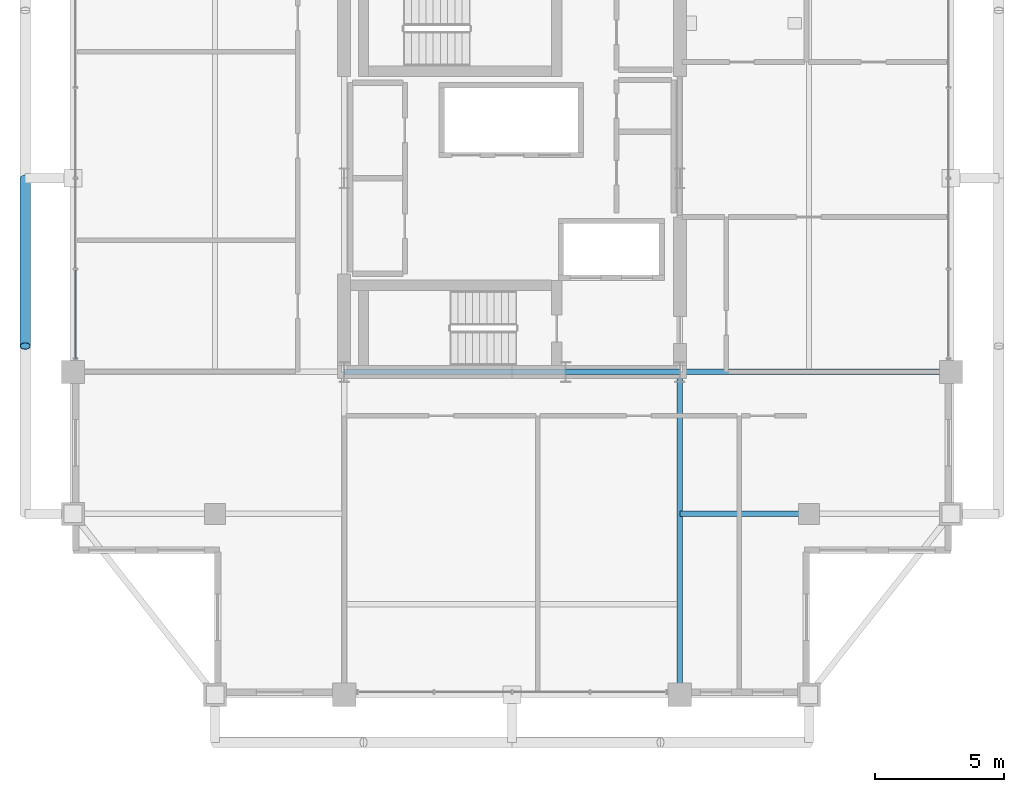
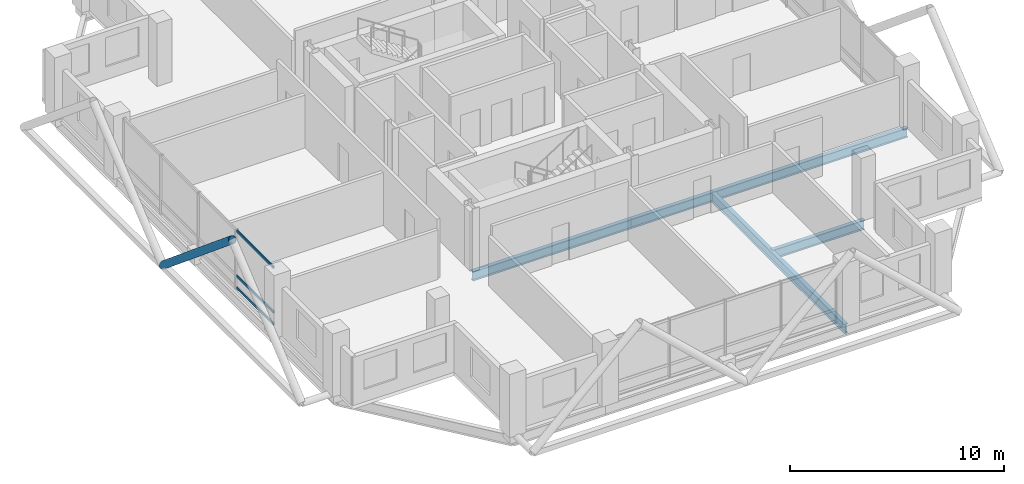
# One storey, part 7 of 24: 5 beams, 4 members, 1 element without a shape of its own.
"""IFC4 building model written with IfcOpenShell, lengths in metres."""

from ifc_helpers import new_model, si_unit, direction, frame, origin, origin_2d, place, context, subcontext, project, spatial, hollow_rectangle, hollow_circle, i_section, extrude, material, layer, layer_set, material_profile, profile_set, type_object, element, aggregate, save


model = new_model("IFC4")

# Units and contexts
model_context = context("Model", 3, precision=1e-05, world=origin(), true_north=direction((0.0, 1.0)))
body_context = subcontext(model_context, "Body", "Model", "MODEL_VIEW")
ifc_project = project(units=[si_unit("LENGTHUNIT", "METRE"), si_unit("AREAUNIT", "SQUARE_METRE"), si_unit("VOLUMEUNIT", "CUBIC_METRE"), si_unit("PLANEANGLEUNIT", "RADIAN"), si_unit("MASSUNIT", "GRAM", prefix="KILO")], contexts=[model_context])

# Site, building, storey
site_placement = place(None, origin())
site = spatial("IfcSite", under=ifc_project, at=site_placement, CompositionType="ELEMENT")
building_placement = place(site_placement, origin())
building = spatial("IfcBuilding", under=site, at=building_placement, Name="Barlavira Tower and Art Museum", CompositionType="ELEMENT")
storey_placement = place(building_placement, frame((0.0, 0.0, 272.699951171875)))
storey = spatial("IfcBuildingStorey", under=building, at=storey_placement, Name="L71", CompositionType="ELEMENT", Elevation=272.699951171875)

# Curtain wall, members
ifc_material_1 = material(Name="Low-iron coastal laminated glass", Category="glass")
ifc_layer = layer(ifc_material_1, 0.2099609375, Name="Low-iron coastal laminated glass")
ifc_layer_set = layer_set([ifc_layer], Name="Low-iron coastal laminated glass")
curtain_wall_type = type_object("IfcCurtainWallType", Name="Pale-Metal Unitised Curtain Wall Zone 4", PredefinedType="NOTDEFINED", material=ifc_layer_set)
curtain_wall_placement = place(storey_placement, origin())
curtain_wall = element("IfcCurtainWall", 1, at=curtain_wall_placement, inside=storey, type_object=curtain_wall_type, Name="L71 Curtain Wall CW4-L71-W-B3", PredefinedType="NOTDEFINED")
ifc_material_2 = material(Name="Pale anodised aluminium", Category="aluminium")
ifc_material_profile_1 = material_profile(ifc_material_2, hollow_rectangle(XDim=0.06494140625, YDim=0.139892578125, WallThickness=0.00390625, at=origin_2d()), Name="ALU-TRAN 65x140x4")
ifc_profile_set_1 = profile_set([ifc_material_profile_1], Name="Pale anodised aluminium")
member_type_1 = type_object("IfcMemberType", Name="Curtain Wall Pale-Metal Transom 65x140", PredefinedType="USERDEFINED", material=ifc_profile_set_1)
member_1_placement = place(storey_placement, frame((-16.89990234375, -3.56005859375, 0.070068359375), z_axis=(0.0, -1.0, 0.0), x_axis=(1.0, 0.0, 0.0)))
member_1 = element("IfcMember", 2, at=member_1_placement, type_object=member_type_1, Name="CW4-L71-W-B3 Transom 3.1", ObjectType="TRANSOM", PredefinedType="USERDEFINED", context=body_context, shape_type="SweptSolid", body=[
    extrude(hollow_rectangle(XDim=0.06494140625, YDim=0.139892578125, WallThickness=0.00390625, at=origin_2d()), origin(), (0.0, 0.0, 1.0), 3.425048828125),
])
member_2_placement = place(storey_placement, frame((-16.89990234375, -3.56005859375, 0.744140625), z_axis=(0.0, -1.0, 0.0), x_axis=(1.0, 0.0, 0.0)))
member_2 = element("IfcMember", 3, at=member_2_placement, type_object=member_type_1, Name="CW4-L71-W-B3 Transom 3.2", ObjectType="TRANSOM", PredefinedType="USERDEFINED", context=body_context, shape_type="SweptSolid", body=[
    extrude(hollow_rectangle(XDim=0.06494140625, YDim=0.139892578125, WallThickness=0.00390625, at=origin_2d()), origin(), (0.0, 0.0, 1.0), 3.425048828125),
])
member_3_placement = place(storey_placement, frame((-16.89990234375, -3.56005859375, 3.31005859375), z_axis=(0.0, -1.0, 0.0), x_axis=(1.0, 0.0, 0.0)))
member_3 = element("IfcMember", 4, at=member_3_placement, type_object=member_type_1, Name="CW4-L71-W-B3 Transom 3.3", ObjectType="TRANSOM", PredefinedType="USERDEFINED", context=body_context, shape_type="SweptSolid", body=[
    extrude(hollow_rectangle(XDim=0.06494140625, YDim=0.139892578125, WallThickness=0.00390625, at=origin_2d()), origin(), (0.0, 0.0, 1.0), 3.425048828125),
])
aggregate(curtain_wall, [member_1, member_2, member_3])

# Member
ifc_material_3 = material(Name="Steel S355", Category="steel")
ifc_material_profile_2 = material_profile(ifc_material_3, hollow_circle(Radius=0.203125, WallThickness=0.01611328125, at=origin_2d()), Name="CHS 406.4x16.0")
ifc_profile_set_2 = profile_set([ifc_material_profile_2], Name="Steel S355")
member_type_2 = type_object("IfcMemberType", Name="Pale-Metal Exoskeleton Diagrid Tube CHS 406x16 Steel S355", PredefinedType="BRACE", material=ifc_profile_set_2)
member_4_placement = place(storey_placement, frame((-18.85009765625, 0.0, -0.119873046875), z_axis=(0.0, -0.769196053329, 0.639012857104), x_axis=(1.0, 0.0, 0.0)))
element("IfcMember", 5, at=member_4_placement, inside=storey, type_object=member_type_2, Name="L71 Exoskeleton Diagrid Tube W", PredefinedType="BRACE", context=body_context, shape_type="SweptSolid", body=[
    extrude(hollow_circle(Radius=0.203125, WallThickness=0.01611328125, at=origin_2d()), origin(), (0.0, 0.0, 1.0), 8.450439453125),
])

# Beams
ifc_material_profile_3 = material_profile(ifc_material_3, i_section(OverallWidth=0.2109375, OverallDepth=0.5390625, WebThickness=0.01171875, FlangeThickness=0.018798828125, at=origin_2d()), Name="W530x109.0")
ifc_profile_set_3 = profile_set([ifc_material_profile_3], Name="Steel S355")
beam_type = type_object("IfcBeamType", Name="Zone 3-4 Primary Floor Girder W530x109 Steel S355", PredefinedType="BEAM", material=ifc_profile_set_3)
beam_1_placement = place(storey_placement, frame((-6.5, -7.5, -0.489501953125), z_axis=(1.0, 0.0, 0.0), x_axis=(0.0, 1.0, 0.0)))
element("IfcBeam", 6, at=beam_1_placement, inside=storey, type_object=beam_type, Name="L71 Girder C-S1", PredefinedType="BEAM", context=body_context, shape_type="SweptSolid", body=[
    extrude(i_section(OverallWidth=0.2109375, OverallDepth=0.5390625, WebThickness=0.01171875, FlangeThickness=0.018798828125, at=origin_2d()), origin(), (0.0, 0.0, 1.0), 8.580078125),
])
beam_2_placement = place(storey_placement, frame((2.080078125, -7.5, -0.489501953125), z_axis=(1.0, 0.0, 0.0), x_axis=(0.0, 1.0, 0.0)))
element("IfcBeam", 7, at=beam_2_placement, inside=storey, type_object=beam_type, Name="L71 Girder C-S2", PredefinedType="BEAM", context=body_context, shape_type="SweptSolid", body=[
    extrude(i_section(OverallWidth=0.2109375, OverallDepth=0.5390625, WebThickness=0.01171875, FlangeThickness=0.018798828125, at=origin_2d()), origin(), (0.0, 0.0, 1.0), 4.419921875),
])
beam_3_placement = place(storey_placement, frame((6.5, -20.0, -0.489501953125), z_axis=(0.0, 1.0, 0.0), x_axis=(-1.0, 0.0, 0.0)))
element("IfcBeam", 8, at=beam_3_placement, inside=storey, type_object=beam_type, Name="L71 Girder R-S2", PredefinedType="BEAM", context=body_context, shape_type="SweptSolid", body=[
    extrude(i_section(OverallWidth=0.2109375, OverallDepth=0.5390625, WebThickness=0.01171875, FlangeThickness=0.018798828125, at=origin_2d()), origin(), (0.0, 0.0, 1.0), 12.5),
])
beam_4_placement = place(storey_placement, frame((6.5, -7.5, -0.489501953125), z_axis=(1.0, 0.0, 0.0), x_axis=(0.0, 1.0, 0.0)))
element("IfcBeam", 9, at=beam_4_placement, inside=storey, type_object=beam_type, Name="L71 Girder R-E1", PredefinedType="BEAM", context=body_context, shape_type="SweptSolid", body=[
    extrude(i_section(OverallWidth=0.2109375, OverallDepth=0.5390625, WebThickness=0.01171875, FlangeThickness=0.018798828125, at=origin_2d()), origin(), (0.0, 0.0, 1.0), 10.5),
])
beam_5_placement = place(storey_placement, frame((6.5, -13.0, -0.489501953125), z_axis=(1.0, 0.0, 0.0), x_axis=(0.0, 1.0, 0.0)))
element("IfcBeam", 10, at=beam_5_placement, inside=storey, type_object=beam_type, Name="L71 Girder I-S3", PredefinedType="BEAM", context=body_context, shape_type="SweptSolid", body=[
    extrude(i_section(OverallWidth=0.2109375, OverallDepth=0.5390625, WebThickness=0.01171875, FlangeThickness=0.018798828125, at=origin_2d()), origin(), (0.0, 0.0, 1.0), 5.0),
])

save(model, "model.ifc")
